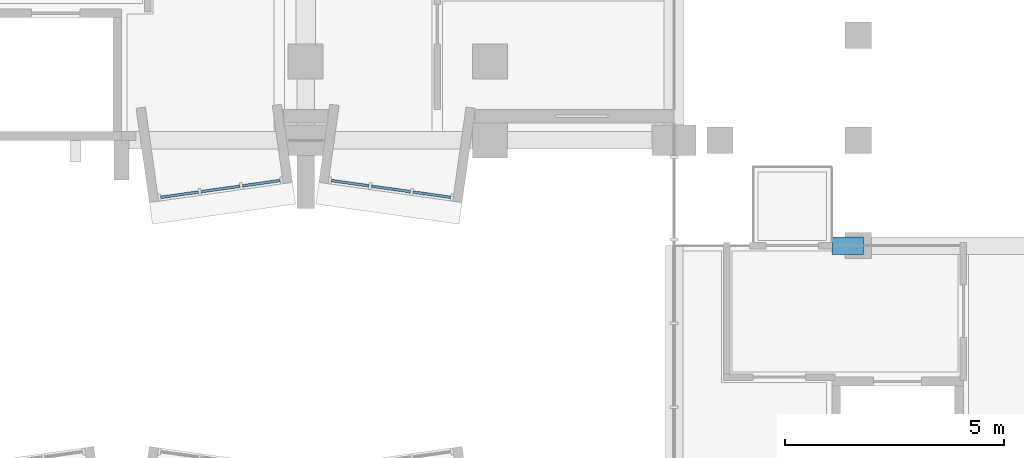
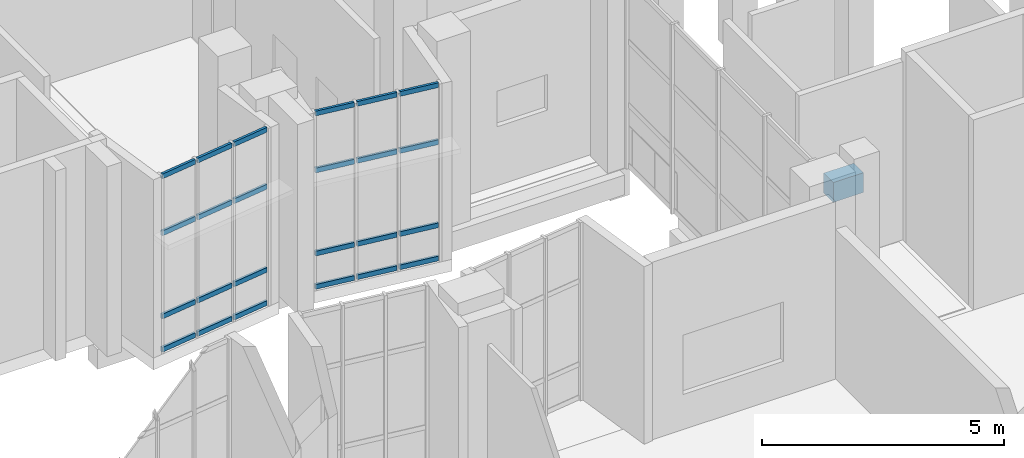
# One storey, part 18 of 91: 24 members, 1 beam, 2 elements without a shape of their own.
"""IFC4 building model written with IfcOpenShell, lengths in metres."""

import ifcopenshell
import ifcopenshell.guid

model = None  # the IFC model being written
_history = None  # IfcOwnerHistory: only IFC2X3 demands one
_inside = {}  # id of a spatial element -> (the spatial element, [elements in it])
_under = {}  # id of a project, library or spatial element -> (it, [spatial elements below it])
_declared = {}  # id of a project -> (the project, [libraries it declares])
_typed = {}  # id of a type object -> (the type object, [elements of that type])
_made_of = {}  # id of a material, layer set ... -> (it, [elements and type objects made of it])


def new_model(schema):
    """Start an empty IFC model of exactly this schema.

    Asked for "IFC4X3", IfcOpenShell would pick the latest addendum, in which some entities
    have other attributes; the version numbers below select the first issue.
    IFC2X3 requires an IfcOwnerHistory on every rooted entity: one is made here for all.
    """
    global model, _history
    if schema == "IFC4X3":
        model = ifcopenshell.file(schema_version=(4, 3, 0, 0))
    else:
        model = ifcopenshell.file(schema=schema)
    _inside.clear()
    _under.clear()
    _declared.clear()
    _typed.clear()
    _made_of.clear()
    _history = None
    if model.schema == "IFC2X3":
        org = make("IfcOrganization", Name="unknown")
        user = make(
            "IfcPersonAndOrganization",
            ThePerson=make("IfcPerson", FamilyName="unknown"),
            TheOrganization=org,
        )
        app = make(
            "IfcApplication",
            ApplicationDeveloper=org,
            Version="unknown",
            ApplicationFullName="unknown",
            ApplicationIdentifier="unknown",
        )
        _history = make(
            "IfcOwnerHistory",
            OwningUser=user,
            OwningApplication=app,
            ChangeAction="ADDED",
            CreationDate=0,
        )
    return model


def make(cls, **values):
    """One entity of the class cls with the attributes given. An attribute that is None is left unset."""
    return model.create_entity(
        cls, **{name: value for name, value in values.items() if value is not None}
    )


def rooted(cls, **values):
    """An entity with a GlobalId (a new one), such as an element, a storey or a relation."""
    return make(cls, GlobalId=ifcopenshell.guid.new(), OwnerHistory=_history, **values)


def si_unit(unit_type, name, prefix=None):
    """IfcSIUnit, for example si_unit("LENGTHUNIT", "METRE", prefix="MILLI")."""
    return make("IfcSIUnit", UnitType=unit_type, Prefix=prefix, Name=name)


def assignment(units):
    """IfcUnitAssignment: the units of a project."""
    return None if units is None else make("IfcUnitAssignment", Units=units)


def point(xyz):
    """IfcCartesianPoint."""
    return None if xyz is None else make("IfcCartesianPoint", Coordinates=xyz)


def direction(xyz):
    """IfcDirection."""
    return None if xyz is None else make("IfcDirection", DirectionRatios=xyz)


def frame(location, z_axis=None, x_axis=None):
    """IfcAxis2Placement3D, a coordinate frame: its origin and axes. An axis left out is left unset."""
    return make(
        "IfcAxis2Placement3D",
        Location=point(location),
        Axis=direction(z_axis),
        RefDirection=direction(x_axis),
    )


def frame_2d(location, x_axis=None):
    """IfcAxis2Placement2D, a coordinate frame in the plane: its origin and x axis."""
    return make(
        "IfcAxis2Placement2D", Location=point(location), RefDirection=direction(x_axis)
    )


def origin():
    """The frame at (0, 0, 0) with its axes left unset."""
    return frame((0.0, 0.0, 0.0))


def origin_2d():
    """The frame at (0, 0) in the plane with its x axis left unset."""
    return frame_2d((0.0, 0.0))


def place(relative_to, where):
    """IfcLocalPlacement: puts the frame where relative to a parent placement (None: the world)."""
    return make(
        "IfcLocalPlacement", PlacementRelTo=relative_to, RelativePlacement=where
    )


def context(
    kind, dimensions, precision=None, world=None, true_north=None, identifier=None
):
    """IfcGeometricRepresentationContext, for example the 3D "Model" context."""
    return make(
        "IfcGeometricRepresentationContext",
        ContextIdentifier=identifier,
        ContextType=kind,
        CoordinateSpaceDimension=dimensions,
        Precision=precision,
        WorldCoordinateSystem=world,
        TrueNorth=true_north,
    )


def subcontext(parent, identifier, kind, view, scale=None):
    """IfcGeometricRepresentationSubContext, for example "Body" below "Model"."""
    return make(
        "IfcGeometricRepresentationSubContext",
        ContextIdentifier=identifier,
        ContextType=kind,
        ParentContext=parent,
        TargetScale=scale,
        TargetView=view,
    )


def project(units=None, contexts=None):
    """IfcProject with its units and contexts."""
    return rooted(
        "IfcProject",
        Name="project",
        RepresentationContexts=contexts,
        UnitsInContext=assignment(units),
    )


def spatial(cls, under=None, at=None, **own):
    """A site, building, storey or space (cls), placed at a placement, below another one or the project."""
    s = rooted(cls, ObjectPlacement=at, **own)
    if under is not None:
        _under.setdefault(under.id(), (under, []))[1].append(s)
    return s


def profile(cls, at=None, kind="AREA", **sizes):
    """A parametric profile (cls). Its sizes go by their IFC names, for example OverallWidth=200.0."""
    return make(cls, ProfileType=kind, Position=at, **sizes)


def rectangle(**sizes):
    """IfcRectangleProfileDef."""
    return profile("IfcRectangleProfileDef", **sizes)


def extrude(swept, where, along, depth):
    """IfcExtrudedAreaSolid: the profile swept, set in the frame where, extruded along a direction by depth."""
    return make(
        "IfcExtrudedAreaSolid",
        SweptArea=swept,
        Position=where,
        ExtrudedDirection=direction(along),
        Depth=depth,
    )


def shape(context_of_items, identifier, shape_type, items):
    """IfcShapeRepresentation: the items that make up one representation, for example the "Body"."""
    return make(
        "IfcShapeRepresentation",
        ContextOfItems=context_of_items,
        RepresentationIdentifier=identifier,
        RepresentationType=shape_type,
        Items=items,
    )


def material(Name=None, Category=None):
    """IfcMaterial."""
    return make("IfcMaterial", Name=Name, Category=Category)


def layer(
    of_material, thickness, ventilated=None, Name=None, Category=None, Priority=None
):
    """IfcMaterialLayer: one layer of a wall or slab, of a material (None: an air gap)."""
    return make(
        "IfcMaterialLayer",
        Material=of_material,
        LayerThickness=thickness,
        IsVentilated=ventilated,
        Name=Name,
        Category=Category,
        Priority=Priority,
    )


def layer_set(layers, Name=None):
    """IfcMaterialLayerSet."""
    return make("IfcMaterialLayerSet", MaterialLayers=layers, LayerSetName=Name)


def material_profile(
    of_material, cross_section, Name=None, Category=None, Priority=None
):
    """IfcMaterialProfile: a cross section and its material."""
    return make(
        "IfcMaterialProfile",
        Name=Name,
        Material=of_material,
        Profile=cross_section,
        Priority=Priority,
        Category=Category,
    )


def profile_set(profiles, Name=None, composite=None):
    """IfcMaterialProfileSet."""
    return make(
        "IfcMaterialProfileSet",
        Name=Name,
        MaterialProfiles=profiles,
        CompositeProfile=composite,
    )


def made_of(thing, what):
    """Note that an element or type object is made of a material, layer set ...; save() writes the relation."""
    if what is not None:
        _made_of.setdefault(what.id(), (what, []))[1].append(thing)
    return thing


def type_object(cls, material=None, **own):
    """A type object (cls), such as IfcWallType, which elements share."""
    return made_of(rooted(cls, **own), material)


def element(
    cls,
    number,
    at=None,
    inside=None,
    cuts=None,
    type_object=None,
    material=None,
    context=None,
    identifier="Body",
    shape_type=None,
    held_by="IfcProductDefinitionShape",
    body=None,
    shapes=None,
    **own,
):
    """One element of the class cls, such as IfcWall. Its Tag is "e" and its number.

    at: its placement. inside: the storey or other place that contains it. cuts: it is an
    opening in that element (IfcRelVoidsElement). A single representation is given by context,
    identifier, shape_type and body (its items); several are given by shapes. held_by: the class
    of the entity that holds the representations. save() writes the other relations.
    """
    e = rooted(cls, Tag="e%d" % number, ObjectPlacement=at, **own)
    if body is not None:
        shapes = [shape(context, identifier, shape_type, body)]
    if shapes is not None:
        e.Representation = make(held_by, Representations=shapes)
    if inside is not None:
        _inside.setdefault(inside.id(), (inside, []))[1].append(e)
    if cuts is not None:
        rooted(
            "IfcRelVoidsElement", RelatingBuildingElement=cuts, RelatedOpeningElement=e
        )
    if type_object is not None:
        _typed.setdefault(type_object.id(), (type_object, []))[1].append(e)
    return made_of(e, material)


def aggregate(whole, parts):
    """IfcRelAggregates: a whole, such as a stair, and the parts it consists of."""
    return rooted("IfcRelAggregates", RelatingObject=whole, RelatedObjects=parts)


def save(model, path):
    """Write the relations noted so far, then the file.

    IfcRelAggregates (storeys below a building ...), IfcRelContainedInSpatialStructure (elements
    in a storey), IfcRelDefinesByType, IfcRelAssociatesMaterial and IfcRelDeclares: one each for
    every whole, place, type object, material and project.
    """
    for whole, parts in _under.values():
        aggregate(whole, parts)
    for where, things in _inside.values():
        rooted(
            "IfcRelContainedInSpatialStructure",
            RelatedElements=things,
            RelatingStructure=where,
        )
    for kind, things in _typed.values():
        rooted("IfcRelDefinesByType", RelatedObjects=things, RelatingType=kind)
    for what, things in _made_of.values():
        rooted("IfcRelAssociatesMaterial", RelatedObjects=things, RelatingMaterial=what)
    for by, libraries in _declared.values():
        rooted("IfcRelDeclares", RelatingContext=by, RelatedDefinitions=libraries)
    model.write(path)


model = new_model("IFC4")

# Units and contexts
model_context = context("Model", 3, precision=1e-05, world=origin(), true_north=direction((0.0, 1.0)))
body_context = subcontext(model_context, "Body", "Model", "MODEL_VIEW")
ifc_project = project(units=[si_unit("LENGTHUNIT", "METRE"), si_unit("AREAUNIT", "SQUARE_METRE"), si_unit("VOLUMEUNIT", "CUBIC_METRE"), si_unit("PLANEANGLEUNIT", "RADIAN"), si_unit("MASSUNIT", "GRAM", prefix="KILO")], contexts=[model_context])

# Site, building, storey
site_placement = place(None, origin())
site = spatial("IfcSite", under=ifc_project, at=site_placement, CompositionType="ELEMENT")
building_placement = place(site_placement, origin())
building = spatial("IfcBuilding", under=site, at=building_placement, Name="Kiln Court Media Centre", CompositionType="ELEMENT")
storey_placement = place(building_placement, frame((0.0, 0.0, 5.39990234375)))
storey = spatial("IfcBuildingStorey", under=building, at=storey_placement, Name="L01", CompositionType="ELEMENT", Elevation=5.39990234375)

# Curtain wall, members
ifc_material_1 = material(Name="Aluminium 6063-T6", Category="aluminium")
ifc_layer = layer(ifc_material_1, 0.1201171875)
ifc_layer_set = layer_set([ifc_layer], Name="Aluminium unitised bay curtain wall")
curtain_wall_type = type_object("IfcCurtainWallType", Name="Aluminium unitised bay curtain wall", PredefinedType="USERDEFINED", material=ifc_layer_set)
curtain_wall_1_placement = place(storey_placement, origin())
curtain_wall_1 = element("IfcCurtainWall", 1, at=curtain_wall_1_placement, inside=storey, type_object=curtain_wall_type, Name="BAY V4-S-L01-06 front", ObjectType="UNITISED CURTAIN WALL", PredefinedType="USERDEFINED")
ifc_material_2 = material(Name="Aluminium 6063-T6", Category="aluminium")
ifc_material_profile_1 = material_profile(ifc_material_2, rectangle(XDim=0.06005859375, YDim=0.1201171875, at=origin_2d()), Name="Aluminium transom 60x120")
ifc_profile_set_1 = profile_set([ifc_material_profile_1], Name="Aluminium 6063-T6")
member_type = type_object("IfcMemberType", Name="Aluminium transom 60x120", PredefinedType="USERDEFINED", material=ifc_profile_set_1)
member_1_placement = place(storey_placement, frame((21.894287109375, 32.299560546875, 0.06005859375), z_axis=(0.990268108888, 0.139172815303, 0.0), x_axis=(-0.139172815303, 0.990268108888, 0.0)))
member_1 = element("IfcMember", 2, at=member_1_placement, type_object=member_type, Name="CW1-02 transom 1.1", ObjectType="TRANSOM", PredefinedType="USERDEFINED", context=body_context, shape_type="SweptSolid", body=[
    extrude(rectangle(XDim=0.06005859375, YDim=0.1201171875, at=origin_2d()), origin(), (0.0, 0.0, 1.0), 0.86669921875),
])
member_2_placement = place(storey_placement, frame((21.894287109375, 32.299560546875, 0.900146484375), z_axis=(0.990268108888, 0.139172815303, 0.0), x_axis=(-0.139172815303, 0.990268108888, 0.0)))
member_2 = element("IfcMember", 3, at=member_2_placement, type_object=member_type, Name="CW1-02 transom 1.2", ObjectType="TRANSOM", PredefinedType="USERDEFINED", context=body_context, shape_type="SweptSolid", body=[
    extrude(rectangle(XDim=0.06005859375, YDim=0.1201171875, at=origin_2d()), origin(), (0.0, 0.0, 1.0), 0.86669921875),
])
member_3_placement = place(storey_placement, frame((21.894287109375, 32.299560546875, 3.0), z_axis=(0.990268108888, 0.139172815303, 0.0), x_axis=(-0.139172815303, 0.990268108888, 0.0)))
member_3 = element("IfcMember", 4, at=member_3_placement, type_object=member_type, Name="CW1-02 transom 1.3", ObjectType="TRANSOM", PredefinedType="USERDEFINED", context=body_context, shape_type="SweptSolid", body=[
    extrude(rectangle(XDim=0.06005859375, YDim=0.1201171875, at=origin_2d()), origin(), (0.0, 0.0, 1.0), 0.86669921875),
])
member_4_placement = place(storey_placement, frame((21.894287109375, 32.299560546875, 4.440185546875), z_axis=(0.990268108888, 0.139172815303, 0.0), x_axis=(-0.139172815303, 0.990268108888, 0.0)))
member_4 = element("IfcMember", 5, at=member_4_placement, type_object=member_type, Name="CW1-02 transom 1.4", ObjectType="TRANSOM", PredefinedType="USERDEFINED", context=body_context, shape_type="SweptSolid", body=[
    extrude(rectangle(XDim=0.06005859375, YDim=0.1201171875, at=origin_2d()), origin(), (0.0, 0.0, 1.0), 0.86669921875),
])
member_5_placement = place(storey_placement, frame((22.811767578125, 32.428466796875, 0.06005859375), z_axis=(0.990273584723, 0.13913384707, 0.0), x_axis=(-0.13913384707, 0.990273584723, 0.0)))
member_5 = element("IfcMember", 6, at=member_5_placement, type_object=member_type, Name="CW1-02 transom 2.1", ObjectType="TRANSOM", PredefinedType="USERDEFINED", context=body_context, shape_type="SweptSolid", body=[
    extrude(rectangle(XDim=0.06005859375, YDim=0.1201171875, at=origin_2d()), origin(), (0.0, 0.0, 1.0), 0.896728515625),
])
member_6_placement = place(storey_placement, frame((22.811767578125, 32.428466796875, 0.900146484375), z_axis=(0.990273584723, 0.13913384707, 0.0), x_axis=(-0.13913384707, 0.990273584723, 0.0)))
member_6 = element("IfcMember", 7, at=member_6_placement, type_object=member_type, Name="CW1-02 transom 2.2", ObjectType="TRANSOM", PredefinedType="USERDEFINED", context=body_context, shape_type="SweptSolid", body=[
    extrude(rectangle(XDim=0.06005859375, YDim=0.1201171875, at=origin_2d()), origin(), (0.0, 0.0, 1.0), 0.896728515625),
])
member_7_placement = place(storey_placement, frame((22.811767578125, 32.428466796875, 3.0), z_axis=(0.990273584723, 0.13913384707, 0.0), x_axis=(-0.13913384707, 0.990273584723, 0.0)))
member_7 = element("IfcMember", 8, at=member_7_placement, type_object=member_type, Name="CW1-02 transom 2.3", ObjectType="TRANSOM", PredefinedType="USERDEFINED", context=body_context, shape_type="SweptSolid", body=[
    extrude(rectangle(XDim=0.06005859375, YDim=0.1201171875, at=origin_2d()), origin(), (0.0, 0.0, 1.0), 0.896728515625),
])
member_8_placement = place(storey_placement, frame((22.811767578125, 32.428466796875, 4.440185546875), z_axis=(0.990273584723, 0.13913384707, 0.0), x_axis=(-0.13913384707, 0.990273584723, 0.0)))
member_8 = element("IfcMember", 9, at=member_8_placement, type_object=member_type, Name="CW1-02 transom 2.4", ObjectType="TRANSOM", PredefinedType="USERDEFINED", context=body_context, shape_type="SweptSolid", body=[
    extrude(rectangle(XDim=0.06005859375, YDim=0.1201171875, at=origin_2d()), origin(), (0.0, 0.0, 1.0), 0.896728515625),
])
member_9_placement = place(storey_placement, frame((23.75927734375, 32.5615234375, 0.06005859375), z_axis=(0.990268108888, 0.139172815303, 0.0), x_axis=(-0.139172815303, 0.990268108888, 0.0)))
member_9 = element("IfcMember", 10, at=member_9_placement, type_object=member_type, Name="CW1-02 transom 3.1", ObjectType="TRANSOM", PredefinedType="USERDEFINED", context=body_context, shape_type="SweptSolid", body=[
    extrude(rectangle(XDim=0.06005859375, YDim=0.1201171875, at=origin_2d()), origin(), (0.0, 0.0, 1.0), 0.86669921875),
])
member_10_placement = place(storey_placement, frame((23.75927734375, 32.5615234375, 0.900146484375), z_axis=(0.990268108888, 0.139172815303, 0.0), x_axis=(-0.139172815303, 0.990268108888, 0.0)))
member_10 = element("IfcMember", 11, at=member_10_placement, type_object=member_type, Name="CW1-02 transom 3.2", ObjectType="TRANSOM", PredefinedType="USERDEFINED", context=body_context, shape_type="SweptSolid", body=[
    extrude(rectangle(XDim=0.06005859375, YDim=0.1201171875, at=origin_2d()), origin(), (0.0, 0.0, 1.0), 0.86669921875),
])
member_11_placement = place(storey_placement, frame((23.75927734375, 32.5615234375, 3.0), z_axis=(0.990268108888, 0.139172815303, 0.0), x_axis=(-0.139172815303, 0.990268108888, 0.0)))
member_11 = element("IfcMember", 12, at=member_11_placement, type_object=member_type, Name="CW1-02 transom 3.3", ObjectType="TRANSOM", PredefinedType="USERDEFINED", context=body_context, shape_type="SweptSolid", body=[
    extrude(rectangle(XDim=0.06005859375, YDim=0.1201171875, at=origin_2d()), origin(), (0.0, 0.0, 1.0), 0.86669921875),
])
member_12_placement = place(storey_placement, frame((23.75927734375, 32.5615234375, 4.440185546875), z_axis=(0.990268108888, 0.139172815303, 0.0), x_axis=(-0.139172815303, 0.990268108888, 0.0)))
member_12 = element("IfcMember", 13, at=member_12_placement, type_object=member_type, Name="CW1-02 transom 3.4", ObjectType="TRANSOM", PredefinedType="USERDEFINED", context=body_context, shape_type="SweptSolid", body=[
    extrude(rectangle(XDim=0.06005859375, YDim=0.1201171875, at=origin_2d()), origin(), (0.0, 0.0, 1.0), 0.86669921875),
])
aggregate(curtain_wall_1, [member_1, member_2, member_3, member_4, member_5, member_6, member_7, member_8, member_9, member_10, member_11, member_12])

curtain_wall_2_placement = place(storey_placement, origin())
curtain_wall_2 = element("IfcCurtainWall", 14, at=curtain_wall_2_placement, inside=storey, type_object=curtain_wall_type, Name="BAY V4-S-L01-07 front", ObjectType="UNITISED CURTAIN WALL", PredefinedType="USERDEFINED")
member_13_placement = place(storey_placement, frame((25.782470703125, 32.68212890625, 0.06005859375), z_axis=(0.990273563383, -0.139133998951, 0.0), x_axis=(0.139133998951, 0.990273563383, 0.0)))
member_13 = element("IfcMember", 15, at=member_13_placement, type_object=member_type, Name="CW1-03 transom 1.1", ObjectType="TRANSOM", PredefinedType="USERDEFINED", context=body_context, shape_type="SweptSolid", body=[
    extrude(rectangle(XDim=0.06005859375, YDim=0.1201171875, at=origin_2d()), origin(), (0.0, 0.0, 1.0), 0.866943359375),
])
member_14_placement = place(storey_placement, frame((25.782470703125, 32.68212890625, 0.900146484375), z_axis=(0.990273563383, -0.139133998951, 0.0), x_axis=(0.139133998951, 0.990273563383, 0.0)))
member_14 = element("IfcMember", 16, at=member_14_placement, type_object=member_type, Name="CW1-03 transom 1.2", ObjectType="TRANSOM", PredefinedType="USERDEFINED", context=body_context, shape_type="SweptSolid", body=[
    extrude(rectangle(XDim=0.06005859375, YDim=0.1201171875, at=origin_2d()), origin(), (0.0, 0.0, 1.0), 0.866943359375),
])
member_15_placement = place(storey_placement, frame((25.782470703125, 32.68212890625, 3.0), z_axis=(0.990273563383, -0.139133998951, 0.0), x_axis=(0.139133998951, 0.990273563383, 0.0)))
member_15 = element("IfcMember", 17, at=member_15_placement, type_object=member_type, Name="CW1-03 transom 1.3", ObjectType="TRANSOM", PredefinedType="USERDEFINED", context=body_context, shape_type="SweptSolid", body=[
    extrude(rectangle(XDim=0.06005859375, YDim=0.1201171875, at=origin_2d()), origin(), (0.0, 0.0, 1.0), 0.866943359375),
])
member_16_placement = place(storey_placement, frame((25.782470703125, 32.68212890625, 4.440185546875), z_axis=(0.990273563383, -0.139133998951, 0.0), x_axis=(0.139133998951, 0.990273563383, 0.0)))
member_16 = element("IfcMember", 18, at=member_16_placement, type_object=member_type, Name="CW1-03 transom 1.4", ObjectType="TRANSOM", PredefinedType="USERDEFINED", context=body_context, shape_type="SweptSolid", body=[
    extrude(rectangle(XDim=0.06005859375, YDim=0.1201171875, at=origin_2d()), origin(), (0.0, 0.0, 1.0), 0.866943359375),
])
member_17_placement = place(storey_placement, frame((26.7001953125, 32.55322265625, 0.06005859375), z_axis=(0.990273584723, -0.13913384707, 0.0), x_axis=(0.13913384707, 0.990273584723, 0.0)))
member_17 = element("IfcMember", 19, at=member_17_placement, type_object=member_type, Name="CW1-03 transom 2.1", ObjectType="TRANSOM", PredefinedType="USERDEFINED", context=body_context, shape_type="SweptSolid", body=[
    extrude(rectangle(XDim=0.06005859375, YDim=0.1201171875, at=origin_2d()), origin(), (0.0, 0.0, 1.0), 0.896728515625),
])
member_18_placement = place(storey_placement, frame((26.7001953125, 32.55322265625, 0.900146484375), z_axis=(0.990273584723, -0.13913384707, 0.0), x_axis=(0.13913384707, 0.990273584723, 0.0)))
member_18 = element("IfcMember", 20, at=member_18_placement, type_object=member_type, Name="CW1-03 transom 2.2", ObjectType="TRANSOM", PredefinedType="USERDEFINED", context=body_context, shape_type="SweptSolid", body=[
    extrude(rectangle(XDim=0.06005859375, YDim=0.1201171875, at=origin_2d()), origin(), (0.0, 0.0, 1.0), 0.896728515625),
])
member_19_placement = place(storey_placement, frame((26.7001953125, 32.55322265625, 3.0), z_axis=(0.990273584723, -0.13913384707, 0.0), x_axis=(0.13913384707, 0.990273584723, 0.0)))
member_19 = element("IfcMember", 21, at=member_19_placement, type_object=member_type, Name="CW1-03 transom 2.3", ObjectType="TRANSOM", PredefinedType="USERDEFINED", context=body_context, shape_type="SweptSolid", body=[
    extrude(rectangle(XDim=0.06005859375, YDim=0.1201171875, at=origin_2d()), origin(), (0.0, 0.0, 1.0), 0.896728515625),
])
member_20_placement = place(storey_placement, frame((26.7001953125, 32.55322265625, 4.440185546875), z_axis=(0.990273584723, -0.13913384707, 0.0), x_axis=(0.13913384707, 0.990273584723, 0.0)))
member_20 = element("IfcMember", 22, at=member_20_placement, type_object=member_type, Name="CW1-03 transom 2.4", ObjectType="TRANSOM", PredefinedType="USERDEFINED", context=body_context, shape_type="SweptSolid", body=[
    extrude(rectangle(XDim=0.06005859375, YDim=0.1201171875, at=origin_2d()), origin(), (0.0, 0.0, 1.0), 0.896728515625),
])
member_21_placement = place(storey_placement, frame((27.6474609375, 32.420166015625, 0.06005859375), z_axis=(0.990273563383, -0.139133998951, 0.0), x_axis=(0.139133998951, 0.990273563383, 0.0)))
member_21 = element("IfcMember", 23, at=member_21_placement, type_object=member_type, Name="CW1-03 transom 3.1", ObjectType="TRANSOM", PredefinedType="USERDEFINED", context=body_context, shape_type="SweptSolid", body=[
    extrude(rectangle(XDim=0.06005859375, YDim=0.1201171875, at=origin_2d()), origin(), (0.0, 0.0, 1.0), 0.866943359375),
])
member_22_placement = place(storey_placement, frame((27.6474609375, 32.420166015625, 0.900146484375), z_axis=(0.990273563383, -0.139133998951, 0.0), x_axis=(0.139133998951, 0.990273563383, 0.0)))
member_22 = element("IfcMember", 24, at=member_22_placement, type_object=member_type, Name="CW1-03 transom 3.2", ObjectType="TRANSOM", PredefinedType="USERDEFINED", context=body_context, shape_type="SweptSolid", body=[
    extrude(rectangle(XDim=0.06005859375, YDim=0.1201171875, at=origin_2d()), origin(), (0.0, 0.0, 1.0), 0.866943359375),
])
member_23_placement = place(storey_placement, frame((27.6474609375, 32.420166015625, 3.0), z_axis=(0.990273563383, -0.139133998951, 0.0), x_axis=(0.139133998951, 0.990273563383, 0.0)))
member_23 = element("IfcMember", 25, at=member_23_placement, type_object=member_type, Name="CW1-03 transom 3.3", ObjectType="TRANSOM", PredefinedType="USERDEFINED", context=body_context, shape_type="SweptSolid", body=[
    extrude(rectangle(XDim=0.06005859375, YDim=0.1201171875, at=origin_2d()), origin(), (0.0, 0.0, 1.0), 0.866943359375),
])
member_24_placement = place(storey_placement, frame((27.6474609375, 32.420166015625, 4.440185546875), z_axis=(0.990273563383, -0.139133998951, 0.0), x_axis=(0.139133998951, 0.990273563383, 0.0)))
member_24 = element("IfcMember", 26, at=member_24_placement, type_object=member_type, Name="CW1-03 transom 3.4", ObjectType="TRANSOM", PredefinedType="USERDEFINED", context=body_context, shape_type="SweptSolid", body=[
    extrude(rectangle(XDim=0.06005859375, YDim=0.1201171875, at=origin_2d()), origin(), (0.0, 0.0, 1.0), 0.866943359375),
])
aggregate(curtain_wall_2, [member_13, member_14, member_15, member_16, member_17, member_18, member_19, member_20, member_21, member_22, member_23, member_24])

# Beam
ifc_material_3 = material(Name="Concrete C30/37", Category="concrete")
ifc_material_profile_2 = material_profile(ifc_material_3, rectangle(XDim=0.39990234375, YDim=0.5, at=origin_2d()), Name="RC 400x500")
ifc_profile_set_2 = profile_set([ifc_material_profile_2], Name="Concrete C30/37")
beam_type = type_object("IfcBeamType", Name="Concrete C30/37 beam 400x500", PredefinedType="BEAM", material=ifc_profile_set_2)
beam_placement = place(storey_placement, frame((37.199951171875, 31.199951171875, -0.5498046875), z_axis=(1.0, 0.0, 0.0), x_axis=(0.0, 1.0, 0.0)))
element("IfcBeam", 27, at=beam_placement, inside=storey, type_object=beam_type, Name="L01-B-1081", PredefinedType="BEAM", context=body_context, shape_type="SweptSolid", body=[
    extrude(rectangle(XDim=0.39990234375, YDim=0.5, at=origin_2d()), origin(), (0.0, 0.0, 1.0), 0.719970703125),
])

save(model, "model.ifc")
